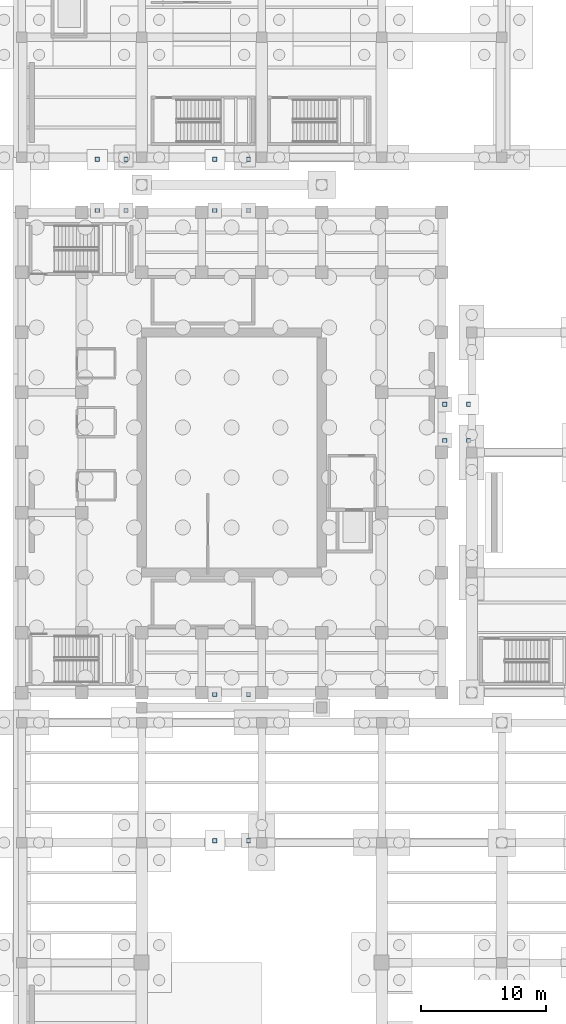
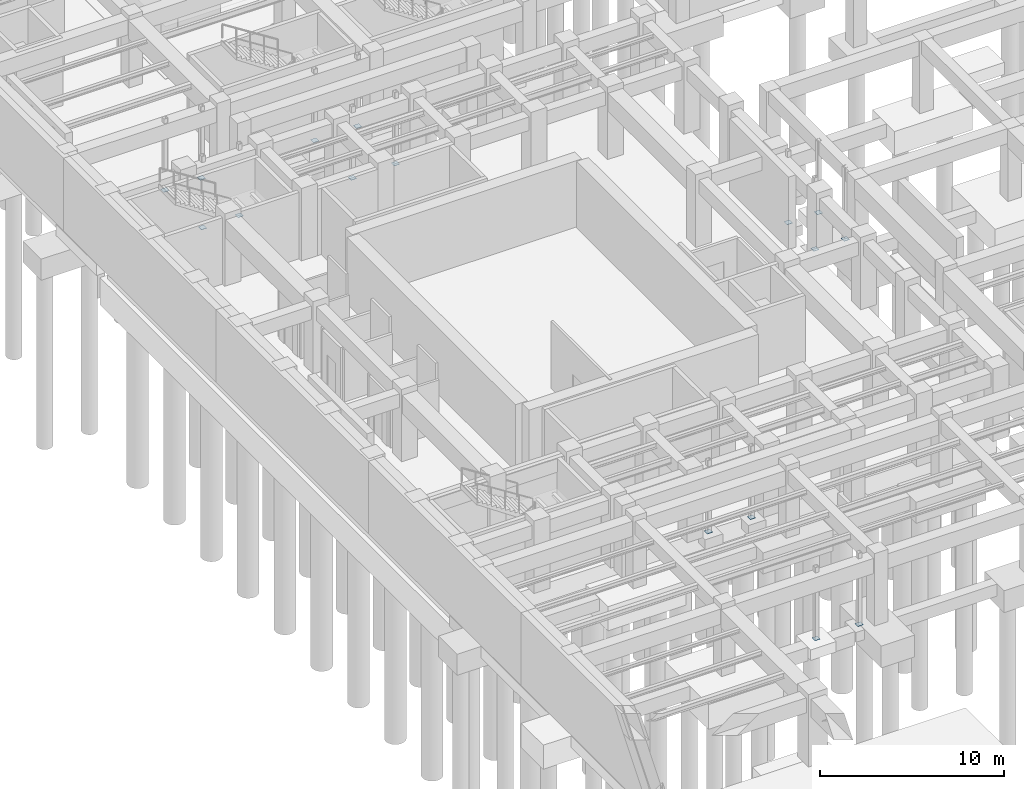
# One storey, part 31 of 56: 16 plates.
"""IFC4 building model written with IfcOpenShell, lengths in metres."""

from ifc_helpers import new_model, si_unit, direction, frame, origin, origin_2d, place, context, subcontext, project, spatial, rectangle, extrude, material, layer, layer_set, type_object, element, save


model = new_model("IFC4")

# Units and contexts
model_context = context("Model", 3, precision=1e-05, world=origin(), true_north=direction((0.0, 1.0)))
body_context = subcontext(model_context, "Body", "Model", "MODEL_VIEW")
ifc_project = project(units=[si_unit("LENGTHUNIT", "METRE"), si_unit("AREAUNIT", "SQUARE_METRE"), si_unit("VOLUMEUNIT", "CUBIC_METRE"), si_unit("PLANEANGLEUNIT", "RADIAN"), si_unit("MASSUNIT", "GRAM", prefix="KILO")], contexts=[model_context])

# Site, building, storey
site_placement = place(None, origin())
site = spatial("IfcSite", under=ifc_project, at=site_placement, CompositionType="ELEMENT")
building_placement = place(site_placement, origin())
building = spatial("IfcBuilding", under=site, at=building_placement, Name="Mavantir Sound Aquarium", CompositionType="ELEMENT")
storey_placement = place(building_placement, frame((0.0, 0.0, -9.60009765625)))
storey = spatial("IfcBuildingStorey", under=building, at=storey_placement, Name="B2", CompositionType="ELEMENT", Elevation=-9.60009765625)

# Plates
ifc_material = material(Name="Structural Steel ASTM A572 Gr50", Category="steel")
ifc_layer = layer(ifc_material, 0.02001953125, Name="Structural Steel ASTM A572 Gr50")
ifc_layer_set = layer_set([ifc_layer], Name="Structural Steel ASTM A572 Gr50")
plate_type = type_object("IfcPlateType", Name="PLT-ENDCAP-20", PredefinedType="SHEET", material=ifc_layer_set)
for number, where, z_axis, x_axis, name in (
    (1, (33.85009765625, 60.949951171875, -0.02001953125), (0.0, 0.0, 1.0), (1.0, 0.0, 0.0), "Bridge hollow column 1.1 bot cap plate NP-02"),
    (2, (33.85009765625, 63.85009765625, -0.02001953125), (0.0, 0.0, 1.0), (1.0, 0.0, 0.0), "Bridge hollow column 1.2 bot cap plate NP-02"),
    (3, (35.75, 60.949951171875, -0.02001953125), (0.0, 0.0, 1.0), (1.0, 0.0, 0.0), "Bridge hollow column 1.3 bot cap plate NP-02"),
    (4, (35.75, 63.85009765625, -0.02001953125), (0.0, 0.0, 1.0), (1.0, 0.0, 0.0), "Bridge hollow column 1.4 bot cap plate NP-02"),
    (5, (15.449951171875, 28.949951171875, -0.02001953125), (0.0, 0.0, 1.0), (1.0, 0.0, 0.0), "Bridge hollow column 2.1 bot cap plate NP-02"),
    (6, (15.449951171875, 40.64990234375, -0.02001953125), (0.0, 0.0, 1.0), (1.0, 0.0, 0.0), "Bridge hollow column 2.2 bot cap plate NP-02"),
    (7, (18.14990234375, 28.949951171875, -0.02001953125), (0.0, 0.0, 1.0), (1.0, 0.0, 0.0), "Bridge hollow column 2.3 bot cap plate NP-02"),
    (8, (18.14990234375, 40.64990234375, -0.02001953125), (0.0, 0.0, 1.0), (1.0, 0.0, 0.0), "Bridge hollow column 2.4 bot cap plate NP-02"),
    (9, (15.449951171875, 79.35009765625, -0.02001953125), (0.0, 0.0, 1.0), (1.0, 0.0, 0.0), "Bridge hollow column 3.1 bot cap plate NP-02"),
    (10, (15.449951171875, 83.449951171875, -0.02001953125), (0.0, 0.0, 1.0), (1.0, 0.0, 0.0), "Bridge hollow column 3.2 bot cap plate NP-02"),
    (11, (18.14990234375, 79.35009765625, -0.02001953125), (0.0, 0.0, 1.0), (1.0, 0.0, 0.0), "Bridge hollow column 3.3 bot cap plate NP-02"),
    (12, (18.14990234375, 83.449951171875, -0.02001953125), (0.0, 0.0, 1.0), (1.0, 0.0, 0.0), "Bridge hollow column 3.4 bot cap plate NP-02"),
    (13, (6.050048828125, 79.35009765625, -0.02001953125), (0.0, 0.0, 1.0), (1.0, 0.0, 0.0), "Bridge hollow column 5.1 bot cap plate NP-02"),
    (14, (6.050048828125, 83.449951171875, -0.02001953125), (0.0, 0.0, 1.0), (1.0, 0.0, 0.0), "Bridge hollow column 5.2 bot cap plate NP-02"),
    (15, (8.35009765625, 79.35009765625, -0.02001953125), (0.0, 0.0, 1.0), (1.0, 0.0, 0.0), "Bridge hollow column 5.3 bot cap plate NP-02"),
    (16, (8.35009765625, 83.449951171875, -0.02001953125), (0.0, 0.0, 1.0), (1.0, 0.0, 0.0), "Bridge hollow column 5.4 bot cap plate NP-02"),
):
    element("IfcPlate", number, at=place(storey_placement, frame(where, z_axis=z_axis, x_axis=x_axis)), inside=storey, type_object=plate_type, Name=name, PredefinedType="SHEET", context=body_context, shape_type="SweptSolid", body=[
        extrude(rectangle(XDim=0.340087890625, YDim=0.340087890625, at=origin_2d()), origin(), (0.0, 0.0, 1.0), 0.02001953125),
    ])

save(model, "model.ifc")
